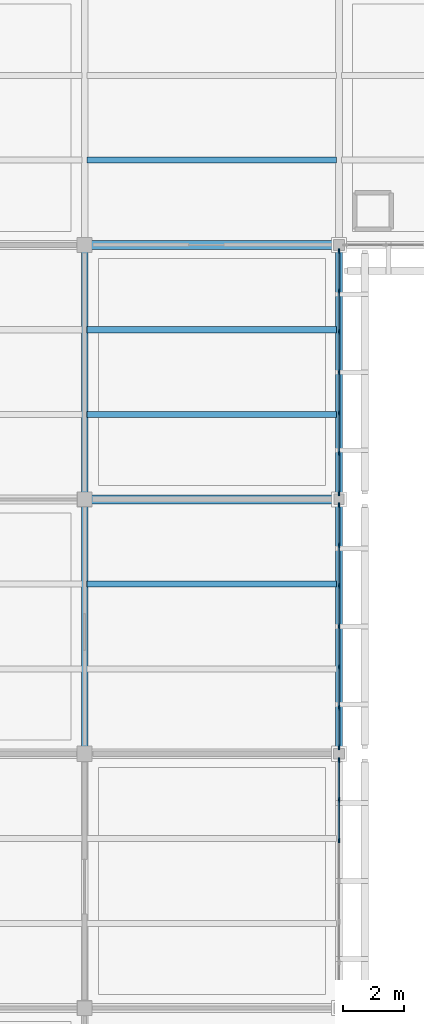
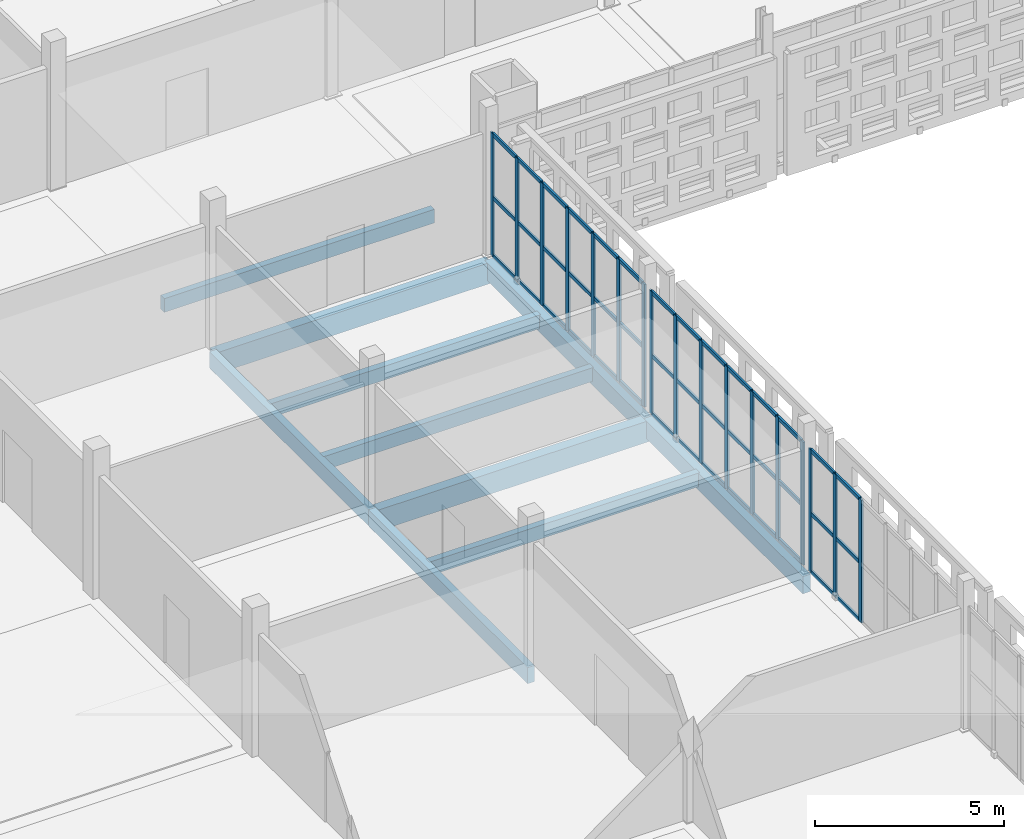
# One storey, part 42 of 203: 59 members, 10 beams, 3 elements without a shape of their own.
"""IFC4 building model written with IfcOpenShell, lengths in metres."""

from ifc_helpers import new_model, si_unit, direction, frame, origin, origin_2d, place, context, subcontext, project, spatial, rectangle, extrude, material, layer, layer_set, material_profile, profile_set, type_object, element, aggregate, save


model = new_model("IFC4")

# Units and contexts
model_context = context("Model", 3, precision=1e-05, world=origin(), true_north=direction((0.0, 1.0)))
body_context = subcontext(model_context, "Body", "Model", "MODEL_VIEW")
ifc_project = project(units=[si_unit("LENGTHUNIT", "METRE"), si_unit("AREAUNIT", "SQUARE_METRE"), si_unit("VOLUMEUNIT", "CUBIC_METRE"), si_unit("PLANEANGLEUNIT", "RADIAN"), si_unit("MASSUNIT", "GRAM", prefix="KILO")], contexts=[model_context])

# Site, building, storey
site_placement = place(None, origin())
site = spatial("IfcSite", under=ifc_project, at=site_placement, CompositionType="ELEMENT")
building_placement = place(site_placement, origin())
building = spatial("IfcBuilding", under=site, at=building_placement, Name="Varnapada Polytechnic", CompositionType="ELEMENT")
storey_placement = place(building_placement, frame((0.0, 0.0, 4.800048828125)))
storey = spatial("IfcBuildingStorey", under=building, at=storey_placement, Name="L01", CompositionType="ELEMENT", Elevation=4.800048828125)

# Beams
ifc_material_1 = material(Name="Glulam GL32h", Category="wood")
ifc_material_profile_1 = material_profile(ifc_material_1, rectangle(XDim=0.199951171875, YDim=0.43994140625, at=origin_2d()), Name="GL 200x440")
ifc_profile_set_1 = profile_set([ifc_material_profile_1], Name="Glulam GL32h")
beam_type_1 = type_object("IfcBeamType", Name="Heavy laboratory glulam joist GJ-03 (GL 200x440)", PredefinedType="JOIST", material=ifc_profile_set_1)
for number, where, z_axis, x_axis, name in (
    (1, (33.679931640625, 72.800048828125, -0.469970703125), (1.0, 0.0, 0.0), (0.0, 1.0, 0.0), "L01 floor joist 5/9.2"),
    (2, (33.679931640625, 78.39990234375, -0.469970703125), (1.0, 0.0, 0.0), (0.0, 1.0, 0.0), "L01 floor joist 5/10.1"),
    (3, (33.679931640625, 81.199951171875, -0.469970703125), (1.0, 0.0, 0.0), (0.0, 1.0, 0.0), "L01 floor joist 5/10.2"),
    (4, (33.679931640625, 86.800048828125, -0.469970703125), (1.0, 0.0, 0.0), (0.0, 1.0, 0.0), "L01 floor joist 5/11.1"),
):
    element("IfcBeam", number, at=place(storey_placement, frame(where, z_axis=z_axis, x_axis=x_axis)), inside=storey, type_object=beam_type_1, Name=name, PredefinedType="JOIST", context=body_context, shape_type="SweptSolid", body=[
        extrude(rectangle(XDim=0.199951171875, YDim=0.43994140625, at=origin_2d()), origin(), (0.0, 0.0, 1.0), 8.239990234375),
    ])
ifc_material_profile_2 = material_profile(ifc_material_1, rectangle(XDim=0.219970703125, YDim=0.52001953125, at=origin_2d()), Name="GL 220x520")
ifc_profile_set_2 = profile_set([ifc_material_profile_2], Name="Glulam GL32h")
beam_type_2 = type_object("IfcBeamType", Name="Laboratory transverse glulam beam GB-12 (GL 220x520)", PredefinedType="BEAM", material=ifc_profile_set_2)
beam_1_placement = place(storey_placement, frame((33.60009765625, 67.199951171875, -0.510009765625), z_axis=(0.0, 1.0, 0.0), x_axis=(-1.0, 0.0, 0.0)))
element("IfcBeam", 5, at=beam_1_placement, inside=storey, type_object=beam_type_2, Name="L01 beam Y 9-10 at X5", PredefinedType="BEAM", context=body_context, shape_type="SweptSolid", body=[
    extrude(rectangle(XDim=0.219970703125, YDim=0.52001953125, at=origin_2d()), origin(), (0.0, 0.0, 1.0), 8.400146484375),
])
beam_2_placement = place(storey_placement, frame((33.60009765625, 75.60009765625, -0.510009765625), z_axis=(0.0, 1.0, 0.0), x_axis=(-1.0, 0.0, 0.0)))
element("IfcBeam", 6, at=beam_2_placement, inside=storey, type_object=beam_type_2, Name="L01 beam Y 10-11 at X5", PredefinedType="BEAM", context=body_context, shape_type="SweptSolid", body=[
    extrude(rectangle(XDim=0.219970703125, YDim=0.52001953125, at=origin_2d()), origin(), (0.0, 0.0, 1.0), 8.39990234375),
])

# Curtain wall, members
ifc_material_2 = material(Name="Double low-E laminated glass", Category="glass")
ifc_layer = layer(ifc_material_2, 0.159912109375)
ifc_layer_set = layer_set([ifc_layer], Name="Double low-E laminated glass")
curtain_wall_type = type_object("IfcCurtainWallType", Name="Curtain Wall CW-01", PredefinedType="NOTDEFINED", material=ifc_layer_set)
curtain_wall_1_placement = place(storey_placement, origin())
curtain_wall_1 = element("IfcCurtainWall", 7, at=curtain_wall_1_placement, inside=storey, type_object=curtain_wall_type, Name="L01 unitised curtain wall CW-01 (38)", PredefinedType="NOTDEFINED")
ifc_material_3 = material(Name="Anodised aluminium", Category="aluminium")
ifc_material_profile_3 = material_profile(ifc_material_3, rectangle(XDim=0.06005859375, YDim=0.159912109375, at=origin_2d()), Name="ALU M60x160")
ifc_profile_set_3 = profile_set([ifc_material_profile_3], Name="Anodised aluminium")
member_type_1 = type_object("IfcMemberType", Name="Mullion M-01", PredefinedType="MULLION", material=ifc_profile_set_3)
member_1_placement = place(storey_placement, frame((42.0, 66.989990234375, 0.0), z_axis=(0.0, 0.0, 1.0), x_axis=(1.0, 0.0, 0.0)))
member_1 = element("IfcMember", 8, at=member_1_placement, type_object=member_type_1, Name="CW-01 mullion 1", PredefinedType="MULLION", context=body_context, shape_type="SweptSolid", body=[
    extrude(rectangle(XDim=0.06005859375, YDim=0.159912109375, at=origin_2d()), origin(), (0.0, 0.0, 1.0), 3.9599609375),
])
member_2_placement = place(storey_placement, frame((42.0, 65.67822265625, 0.0), z_axis=(0.0, 0.0, 1.0), x_axis=(1.0, 0.0, 0.0)))
member_2 = element("IfcMember", 9, at=member_2_placement, type_object=member_type_1, Name="CW-01 mullion 2", PredefinedType="MULLION", context=body_context, shape_type="SweptSolid", body=[
    extrude(rectangle(XDim=0.06005859375, YDim=0.159912109375, at=origin_2d()), origin(), (0.0, 0.0, 1.0), 3.9599609375),
])
member_3_placement = place(storey_placement, frame((42.0, 64.336669921875, 0.0), z_axis=(0.0, 0.0, 1.0), x_axis=(1.0, 0.0, 0.0)))
member_3 = element("IfcMember", 10, at=member_3_placement, type_object=member_type_1, Name="CW-01 mullion 3", PredefinedType="MULLION", context=body_context, shape_type="SweptSolid", body=[
    extrude(rectangle(XDim=0.06005859375, YDim=0.159912109375, at=origin_2d()), origin(), (0.0, 0.0, 1.0), 3.9599609375),
])

curtain_wall_2_placement = place(storey_placement, origin())
curtain_wall_2 = element("IfcCurtainWall", 11, at=curtain_wall_2_placement, inside=storey, type_object=curtain_wall_type, Name="L01 unitised curtain wall CW-01 (39)", PredefinedType="NOTDEFINED")
member_4_placement = place(storey_placement, frame((42.0, 75.39990234375, 0.0), z_axis=(0.0, 0.0, 1.0), x_axis=(1.0, 0.0, 0.0)))
member_4 = element("IfcMember", 12, at=member_4_placement, type_object=member_type_1, Name="CW-01 mullion 1", PredefinedType="MULLION", context=body_context, shape_type="SweptSolid", body=[
    extrude(rectangle(XDim=0.06005859375, YDim=0.159912109375, at=origin_2d()), origin(), (0.0, 0.0, 1.0), 3.9599609375),
])
member_5_placement = place(storey_placement, frame((42.0, 74.08837890625, 0.0), z_axis=(0.0, 0.0, 1.0), x_axis=(1.0, 0.0, 0.0)))
member_5 = element("IfcMember", 13, at=member_5_placement, type_object=member_type_1, Name="CW-01 mullion 2", PredefinedType="MULLION", context=body_context, shape_type="SweptSolid", body=[
    extrude(rectangle(XDim=0.06005859375, YDim=0.159912109375, at=origin_2d()), origin(), (0.0, 0.0, 1.0), 3.9599609375),
])
member_6_placement = place(storey_placement, frame((42.0, 72.74658203125, 0.0), z_axis=(0.0, 0.0, 1.0), x_axis=(1.0, 0.0, 0.0)))
member_6 = element("IfcMember", 14, at=member_6_placement, type_object=member_type_1, Name="CW-01 mullion 3", PredefinedType="MULLION", context=body_context, shape_type="SweptSolid", body=[
    extrude(rectangle(XDim=0.06005859375, YDim=0.159912109375, at=origin_2d()), origin(), (0.0, 0.0, 1.0), 3.9599609375),
])
member_7_placement = place(storey_placement, frame((42.0, 71.405029296875, 0.0), z_axis=(0.0, 0.0, 1.0), x_axis=(1.0, 0.0, 0.0)))
member_7 = element("IfcMember", 15, at=member_7_placement, type_object=member_type_1, Name="CW-01 mullion 4", PredefinedType="MULLION", context=body_context, shape_type="SweptSolid", body=[
    extrude(rectangle(XDim=0.06005859375, YDim=0.159912109375, at=origin_2d()), origin(), (0.0, 0.0, 1.0), 3.9599609375),
])
member_8_placement = place(storey_placement, frame((42.0, 70.063232421875, 0.0), z_axis=(0.0, 0.0, 1.0), x_axis=(1.0, 0.0, 0.0)))
member_8 = element("IfcMember", 16, at=member_8_placement, type_object=member_type_1, Name="CW-01 mullion 5", PredefinedType="MULLION", context=body_context, shape_type="SweptSolid", body=[
    extrude(rectangle(XDim=0.06005859375, YDim=0.159912109375, at=origin_2d()), origin(), (0.0, 0.0, 1.0), 3.9599609375),
])
member_9_placement = place(storey_placement, frame((42.0, 68.7216796875, 0.0), z_axis=(0.0, 0.0, 1.0), x_axis=(1.0, 0.0, 0.0)))
member_9 = element("IfcMember", 17, at=member_9_placement, type_object=member_type_1, Name="CW-01 mullion 6", PredefinedType="MULLION", context=body_context, shape_type="SweptSolid", body=[
    extrude(rectangle(XDim=0.06005859375, YDim=0.159912109375, at=origin_2d()), origin(), (0.0, 0.0, 1.0), 3.9599609375),
])
member_10_placement = place(storey_placement, frame((42.0, 67.409912109375, 0.0), z_axis=(0.0, 0.0, 1.0), x_axis=(1.0, 0.0, 0.0)))
member_10 = element("IfcMember", 18, at=member_10_placement, type_object=member_type_1, Name="CW-01 mullion 7", PredefinedType="MULLION", context=body_context, shape_type="SweptSolid", body=[
    extrude(rectangle(XDim=0.06005859375, YDim=0.159912109375, at=origin_2d()), origin(), (0.0, 0.0, 1.0), 3.9599609375),
])

curtain_wall_3_placement = place(storey_placement, origin())
curtain_wall_3 = element("IfcCurtainWall", 19, at=curtain_wall_3_placement, inside=storey, type_object=curtain_wall_type, Name="L01 unitised curtain wall CW-01 (40)", PredefinedType="NOTDEFINED")
member_11_placement = place(storey_placement, frame((42.0, 83.7900390625, 0.0), z_axis=(0.0, 0.0, 1.0), x_axis=(1.0, 0.0, 0.0)))
member_11 = element("IfcMember", 20, at=member_11_placement, type_object=member_type_1, Name="CW-01 mullion 1", PredefinedType="MULLION", context=body_context, shape_type="SweptSolid", body=[
    extrude(rectangle(XDim=0.06005859375, YDim=0.159912109375, at=origin_2d()), origin(), (0.0, 0.0, 1.0), 3.9599609375),
])
member_12_placement = place(storey_placement, frame((42.0, 82.478271484375, 0.0), z_axis=(0.0, 0.0, 1.0), x_axis=(1.0, 0.0, 0.0)))
member_12 = element("IfcMember", 21, at=member_12_placement, type_object=member_type_1, Name="CW-01 mullion 2", PredefinedType="MULLION", context=body_context, shape_type="SweptSolid", body=[
    extrude(rectangle(XDim=0.06005859375, YDim=0.159912109375, at=origin_2d()), origin(), (0.0, 0.0, 1.0), 3.9599609375),
])
member_13_placement = place(storey_placement, frame((42.0, 81.13671875, 0.0), z_axis=(0.0, 0.0, 1.0), x_axis=(1.0, 0.0, 0.0)))
member_13 = element("IfcMember", 22, at=member_13_placement, type_object=member_type_1, Name="CW-01 mullion 3", PredefinedType="MULLION", context=body_context, shape_type="SweptSolid", body=[
    extrude(rectangle(XDim=0.06005859375, YDim=0.159912109375, at=origin_2d()), origin(), (0.0, 0.0, 1.0), 3.9599609375),
])
member_14_placement = place(storey_placement, frame((42.0, 79.794921875, 0.0), z_axis=(0.0, 0.0, 1.0), x_axis=(1.0, 0.0, 0.0)))
member_14 = element("IfcMember", 23, at=member_14_placement, type_object=member_type_1, Name="CW-01 mullion 4", PredefinedType="MULLION", context=body_context, shape_type="SweptSolid", body=[
    extrude(rectangle(XDim=0.06005859375, YDim=0.159912109375, at=origin_2d()), origin(), (0.0, 0.0, 1.0), 3.9599609375),
])
member_15_placement = place(storey_placement, frame((42.0, 78.453369140625, 0.0), z_axis=(0.0, 0.0, 1.0), x_axis=(1.0, 0.0, 0.0)))
member_15 = element("IfcMember", 24, at=member_15_placement, type_object=member_type_1, Name="CW-01 mullion 5", PredefinedType="MULLION", context=body_context, shape_type="SweptSolid", body=[
    extrude(rectangle(XDim=0.06005859375, YDim=0.159912109375, at=origin_2d()), origin(), (0.0, 0.0, 1.0), 3.9599609375),
])
member_16_placement = place(storey_placement, frame((42.0, 77.111572265625, 0.0), z_axis=(0.0, 0.0, 1.0), x_axis=(1.0, 0.0, 0.0)))
member_16 = element("IfcMember", 25, at=member_16_placement, type_object=member_type_1, Name="CW-01 mullion 6", PredefinedType="MULLION", context=body_context, shape_type="SweptSolid", body=[
    extrude(rectangle(XDim=0.06005859375, YDim=0.159912109375, at=origin_2d()), origin(), (0.0, 0.0, 1.0), 3.9599609375),
])
member_17_placement = place(storey_placement, frame((42.0, 75.800048828125, 0.0), z_axis=(0.0, 0.0, 1.0), x_axis=(1.0, 0.0, 0.0)))
member_17 = element("IfcMember", 26, at=member_17_placement, type_object=member_type_1, Name="CW-01 mullion 7", PredefinedType="MULLION", context=body_context, shape_type="SweptSolid", body=[
    extrude(rectangle(XDim=0.06005859375, YDim=0.159912109375, at=origin_2d()), origin(), (0.0, 0.0, 1.0), 3.9599609375),
])

# Beams
ifc_material_profile_4 = material_profile(ifc_material_1, rectangle(XDim=0.239990234375, YDim=0.56005859375, at=origin_2d()), Name="GL 240x560")
ifc_profile_set_4 = profile_set([ifc_material_profile_4], Name="Glulam GL32h")
beam_type_3 = type_object("IfcBeamType", Name="Perimeter glulam spandrel beam SP-02 (GL 240x560)", PredefinedType="SPANDREL", material=ifc_profile_set_4)
beam_3_placement = place(storey_placement, frame((42.0, 67.199951171875, -0.530029296875), z_axis=(0.0, 1.0, 0.0), x_axis=(-1.0, 0.0, 0.0)))
element("IfcBeam", 27, at=beam_3_placement, inside=storey, type_object=beam_type_3, Name="L01 beam Y 9-10 at X6", PredefinedType="SPANDREL", context=body_context, shape_type="SweptSolid", body=[
    extrude(rectangle(XDim=0.239990234375, YDim=0.56005859375, at=origin_2d()), origin(), (0.0, 0.0, 1.0), 8.400146484375),
])
beam_4_placement = place(storey_placement, frame((42.0, 75.60009765625, -0.530029296875), z_axis=(0.0, 1.0, 0.0), x_axis=(-1.0, 0.0, 0.0)))
element("IfcBeam", 28, at=beam_4_placement, inside=storey, type_object=beam_type_3, Name="L01 beam Y 10-11 at X6", PredefinedType="SPANDREL", context=body_context, shape_type="SweptSolid", body=[
    extrude(rectangle(XDim=0.239990234375, YDim=0.56005859375, at=origin_2d()), origin(), (0.0, 0.0, 1.0), 8.39990234375),
])

# Member
ifc_material_profile_5 = material_profile(ifc_material_3, rectangle(XDim=0.06005859375, YDim=0.1201171875, at=origin_2d()), Name="ALU T60x120")
ifc_profile_set_5 = profile_set([ifc_material_profile_5], Name="Anodised aluminium")
member_type_2 = type_object("IfcMemberType", Name="Transom T-01", PredefinedType="USERDEFINED", material=ifc_profile_set_5)
member_18_placement = place(storey_placement, frame((42.0, 66.9599609375, 0.030029296875), z_axis=(0.0, -1.0, 0.0), x_axis=(1.0, 0.0, 0.0)))
member_18 = element("IfcMember", 29, at=member_18_placement, type_object=member_type_2, Name="CW-01 transom 1.1", ObjectType="TRANSOM", PredefinedType="USERDEFINED", context=body_context, shape_type="SweptSolid", body=[
    extrude(rectangle(XDim=0.06005859375, YDim=0.1201171875, at=origin_2d()), origin(), (0.0, 0.0, 1.0), 1.251708984375),
])

member_19_placement = place(storey_placement, frame((42.0, 66.9599609375, 1.900634765625), z_axis=(0.0, -1.0, 0.0), x_axis=(1.0, 0.0, 0.0)))
member_19 = element("IfcMember", 30, at=member_19_placement, type_object=member_type_2, Name="CW-01 transom 1.2", ObjectType="TRANSOM", PredefinedType="USERDEFINED", context=body_context, shape_type="SweptSolid", body=[
    extrude(rectangle(XDim=0.06005859375, YDim=0.1201171875, at=origin_2d()), origin(), (0.0, 0.0, 1.0), 1.251708984375),
])

member_20_placement = place(storey_placement, frame((42.0, 66.9599609375, 3.929931640625), z_axis=(0.0, -1.0, 0.0), x_axis=(1.0, 0.0, 0.0)))
member_20 = element("IfcMember", 31, at=member_20_placement, type_object=member_type_2, Name="CW-01 transom 1.3", ObjectType="TRANSOM", PredefinedType="USERDEFINED", context=body_context, shape_type="SweptSolid", body=[
    extrude(rectangle(XDim=0.06005859375, YDim=0.1201171875, at=origin_2d()), origin(), (0.0, 0.0, 1.0), 1.251708984375),
])

member_21_placement = place(storey_placement, frame((42.0, 65.6484375, 0.030029296875), z_axis=(0.0, -1.0, 0.0), x_axis=(1.0, 0.0, 0.0)))
member_21 = element("IfcMember", 32, at=member_21_placement, type_object=member_type_2, Name="CW-01 transom 2.1", ObjectType="TRANSOM", PredefinedType="USERDEFINED", context=body_context, shape_type="SweptSolid", body=[
    extrude(rectangle(XDim=0.06005859375, YDim=0.1201171875, at=origin_2d()), origin(), (0.0, 0.0, 1.0), 1.28173828125),
])

member_22_placement = place(storey_placement, frame((42.0, 65.6484375, 1.900634765625), z_axis=(0.0, -1.0, 0.0), x_axis=(1.0, 0.0, 0.0)))
member_22 = element("IfcMember", 33, at=member_22_placement, type_object=member_type_2, Name="CW-01 transom 2.2", ObjectType="TRANSOM", PredefinedType="USERDEFINED", context=body_context, shape_type="SweptSolid", body=[
    extrude(rectangle(XDim=0.06005859375, YDim=0.1201171875, at=origin_2d()), origin(), (0.0, 0.0, 1.0), 1.28173828125),
])

member_23_placement = place(storey_placement, frame((42.0, 65.6484375, 3.929931640625), z_axis=(0.0, -1.0, 0.0), x_axis=(1.0, 0.0, 0.0)))
member_23 = element("IfcMember", 34, at=member_23_placement, type_object=member_type_2, Name="CW-01 transom 2.3", ObjectType="TRANSOM", PredefinedType="USERDEFINED", context=body_context, shape_type="SweptSolid", body=[
    extrude(rectangle(XDim=0.06005859375, YDim=0.1201171875, at=origin_2d()), origin(), (0.0, 0.0, 1.0), 1.28173828125),
])

aggregate(curtain_wall_1, [member_1, member_2, member_3, member_18, member_19, member_20, member_21, member_22, member_23])

member_24_placement = place(storey_placement, frame((42.0, 75.3701171875, 0.030029296875), z_axis=(0.0, -1.0, 0.0), x_axis=(1.0, 0.0, 0.0)))
member_24 = element("IfcMember", 35, at=member_24_placement, type_object=member_type_2, Name="CW-01 transom 1.1", ObjectType="TRANSOM", PredefinedType="USERDEFINED", context=body_context, shape_type="SweptSolid", body=[
    extrude(rectangle(XDim=0.06005859375, YDim=0.1201171875, at=origin_2d()), origin(), (0.0, 0.0, 1.0), 1.251708984375),
])

member_25_placement = place(storey_placement, frame((42.0, 75.3701171875, 1.900634765625), z_axis=(0.0, -1.0, 0.0), x_axis=(1.0, 0.0, 0.0)))
member_25 = element("IfcMember", 36, at=member_25_placement, type_object=member_type_2, Name="CW-01 transom 1.2", ObjectType="TRANSOM", PredefinedType="USERDEFINED", context=body_context, shape_type="SweptSolid", body=[
    extrude(rectangle(XDim=0.06005859375, YDim=0.1201171875, at=origin_2d()), origin(), (0.0, 0.0, 1.0), 1.251708984375),
])

member_26_placement = place(storey_placement, frame((42.0, 75.3701171875, 3.929931640625), z_axis=(0.0, -1.0, 0.0), x_axis=(1.0, 0.0, 0.0)))
member_26 = element("IfcMember", 37, at=member_26_placement, type_object=member_type_2, Name="CW-01 transom 1.3", ObjectType="TRANSOM", PredefinedType="USERDEFINED", context=body_context, shape_type="SweptSolid", body=[
    extrude(rectangle(XDim=0.06005859375, YDim=0.1201171875, at=origin_2d()), origin(), (0.0, 0.0, 1.0), 1.251708984375),
])

member_27_placement = place(storey_placement, frame((42.0, 74.058349609375, 0.030029296875), z_axis=(0.0, -1.0, 0.0), x_axis=(1.0, 0.0, 0.0)))
member_27 = element("IfcMember", 38, at=member_27_placement, type_object=member_type_2, Name="CW-01 transom 2.1", ObjectType="TRANSOM", PredefinedType="USERDEFINED", context=body_context, shape_type="SweptSolid", body=[
    extrude(rectangle(XDim=0.06005859375, YDim=0.1201171875, at=origin_2d()), origin(), (0.0, 0.0, 1.0), 1.28173828125),
])

member_28_placement = place(storey_placement, frame((42.0, 74.058349609375, 1.900634765625), z_axis=(0.0, -1.0, 0.0), x_axis=(1.0, 0.0, 0.0)))
member_28 = element("IfcMember", 39, at=member_28_placement, type_object=member_type_2, Name="CW-01 transom 2.2", ObjectType="TRANSOM", PredefinedType="USERDEFINED", context=body_context, shape_type="SweptSolid", body=[
    extrude(rectangle(XDim=0.06005859375, YDim=0.1201171875, at=origin_2d()), origin(), (0.0, 0.0, 1.0), 1.28173828125),
])

member_29_placement = place(storey_placement, frame((42.0, 74.058349609375, 3.929931640625), z_axis=(0.0, -1.0, 0.0), x_axis=(1.0, 0.0, 0.0)))
member_29 = element("IfcMember", 40, at=member_29_placement, type_object=member_type_2, Name="CW-01 transom 2.3", ObjectType="TRANSOM", PredefinedType="USERDEFINED", context=body_context, shape_type="SweptSolid", body=[
    extrude(rectangle(XDim=0.06005859375, YDim=0.1201171875, at=origin_2d()), origin(), (0.0, 0.0, 1.0), 1.28173828125),
])

member_30_placement = place(storey_placement, frame((42.0, 72.716552734375, 0.030029296875), z_axis=(0.0, -1.0, 0.0), x_axis=(1.0, 0.0, 0.0)))
member_30 = element("IfcMember", 41, at=member_30_placement, type_object=member_type_2, Name="CW-01 transom 3.1", ObjectType="TRANSOM", PredefinedType="USERDEFINED", context=body_context, shape_type="SweptSolid", body=[
    extrude(rectangle(XDim=0.06005859375, YDim=0.1201171875, at=origin_2d()), origin(), (0.0, 0.0, 1.0), 1.281494140625),
])

member_31_placement = place(storey_placement, frame((42.0, 72.716552734375, 1.900634765625), z_axis=(0.0, -1.0, 0.0), x_axis=(1.0, 0.0, 0.0)))
member_31 = element("IfcMember", 42, at=member_31_placement, type_object=member_type_2, Name="CW-01 transom 3.2", ObjectType="TRANSOM", PredefinedType="USERDEFINED", context=body_context, shape_type="SweptSolid", body=[
    extrude(rectangle(XDim=0.06005859375, YDim=0.1201171875, at=origin_2d()), origin(), (0.0, 0.0, 1.0), 1.281494140625),
])

member_32_placement = place(storey_placement, frame((42.0, 72.716552734375, 3.929931640625), z_axis=(0.0, -1.0, 0.0), x_axis=(1.0, 0.0, 0.0)))
member_32 = element("IfcMember", 43, at=member_32_placement, type_object=member_type_2, Name="CW-01 transom 3.3", ObjectType="TRANSOM", PredefinedType="USERDEFINED", context=body_context, shape_type="SweptSolid", body=[
    extrude(rectangle(XDim=0.06005859375, YDim=0.1201171875, at=origin_2d()), origin(), (0.0, 0.0, 1.0), 1.281494140625),
])

member_33_placement = place(storey_placement, frame((42.0, 71.375, 0.030029296875), z_axis=(0.0, -1.0, 0.0), x_axis=(1.0, 0.0, 0.0)))
member_33 = element("IfcMember", 44, at=member_33_placement, type_object=member_type_2, Name="CW-01 transom 4.1", ObjectType="TRANSOM", PredefinedType="USERDEFINED", context=body_context, shape_type="SweptSolid", body=[
    extrude(rectangle(XDim=0.06005859375, YDim=0.1201171875, at=origin_2d()), origin(), (0.0, 0.0, 1.0), 1.28173828125),
])

member_34_placement = place(storey_placement, frame((42.0, 71.375, 1.900634765625), z_axis=(0.0, -1.0, 0.0), x_axis=(1.0, 0.0, 0.0)))
member_34 = element("IfcMember", 45, at=member_34_placement, type_object=member_type_2, Name="CW-01 transom 4.2", ObjectType="TRANSOM", PredefinedType="USERDEFINED", context=body_context, shape_type="SweptSolid", body=[
    extrude(rectangle(XDim=0.06005859375, YDim=0.1201171875, at=origin_2d()), origin(), (0.0, 0.0, 1.0), 1.28173828125),
])

member_35_placement = place(storey_placement, frame((42.0, 71.375, 3.929931640625), z_axis=(0.0, -1.0, 0.0), x_axis=(1.0, 0.0, 0.0)))
member_35 = element("IfcMember", 46, at=member_35_placement, type_object=member_type_2, Name="CW-01 transom 4.3", ObjectType="TRANSOM", PredefinedType="USERDEFINED", context=body_context, shape_type="SweptSolid", body=[
    extrude(rectangle(XDim=0.06005859375, YDim=0.1201171875, at=origin_2d()), origin(), (0.0, 0.0, 1.0), 1.28173828125),
])

member_36_placement = place(storey_placement, frame((42.0, 70.033447265625, 0.030029296875), z_axis=(0.0, -1.0, 0.0), x_axis=(1.0, 0.0, 0.0)))
member_36 = element("IfcMember", 47, at=member_36_placement, type_object=member_type_2, Name="CW-01 transom 5.1", ObjectType="TRANSOM", PredefinedType="USERDEFINED", context=body_context, shape_type="SweptSolid", body=[
    extrude(rectangle(XDim=0.06005859375, YDim=0.1201171875, at=origin_2d()), origin(), (0.0, 0.0, 1.0), 1.28173828125),
])

member_37_placement = place(storey_placement, frame((42.0, 70.033447265625, 1.900634765625), z_axis=(0.0, -1.0, 0.0), x_axis=(1.0, 0.0, 0.0)))
member_37 = element("IfcMember", 48, at=member_37_placement, type_object=member_type_2, Name="CW-01 transom 5.2", ObjectType="TRANSOM", PredefinedType="USERDEFINED", context=body_context, shape_type="SweptSolid", body=[
    extrude(rectangle(XDim=0.06005859375, YDim=0.1201171875, at=origin_2d()), origin(), (0.0, 0.0, 1.0), 1.28173828125),
])

member_38_placement = place(storey_placement, frame((42.0, 70.033447265625, 3.929931640625), z_axis=(0.0, -1.0, 0.0), x_axis=(1.0, 0.0, 0.0)))
member_38 = element("IfcMember", 49, at=member_38_placement, type_object=member_type_2, Name="CW-01 transom 5.3", ObjectType="TRANSOM", PredefinedType="USERDEFINED", context=body_context, shape_type="SweptSolid", body=[
    extrude(rectangle(XDim=0.06005859375, YDim=0.1201171875, at=origin_2d()), origin(), (0.0, 0.0, 1.0), 1.28173828125),
])

member_39_placement = place(storey_placement, frame((42.0, 68.691650390625, 0.030029296875), z_axis=(0.0, -1.0, 0.0), x_axis=(1.0, 0.0, 0.0)))
member_39 = element("IfcMember", 50, at=member_39_placement, type_object=member_type_2, Name="CW-01 transom 6.1", ObjectType="TRANSOM", PredefinedType="USERDEFINED", context=body_context, shape_type="SweptSolid", body=[
    extrude(rectangle(XDim=0.06005859375, YDim=0.1201171875, at=origin_2d()), origin(), (0.0, 0.0, 1.0), 1.251708984375),
])

member_40_placement = place(storey_placement, frame((42.0, 68.691650390625, 1.900634765625), z_axis=(0.0, -1.0, 0.0), x_axis=(1.0, 0.0, 0.0)))
member_40 = element("IfcMember", 51, at=member_40_placement, type_object=member_type_2, Name="CW-01 transom 6.2", ObjectType="TRANSOM", PredefinedType="USERDEFINED", context=body_context, shape_type="SweptSolid", body=[
    extrude(rectangle(XDim=0.06005859375, YDim=0.1201171875, at=origin_2d()), origin(), (0.0, 0.0, 1.0), 1.251708984375),
])

member_41_placement = place(storey_placement, frame((42.0, 68.691650390625, 3.929931640625), z_axis=(0.0, -1.0, 0.0), x_axis=(1.0, 0.0, 0.0)))
member_41 = element("IfcMember", 52, at=member_41_placement, type_object=member_type_2, Name="CW-01 transom 6.3", ObjectType="TRANSOM", PredefinedType="USERDEFINED", context=body_context, shape_type="SweptSolid", body=[
    extrude(rectangle(XDim=0.06005859375, YDim=0.1201171875, at=origin_2d()), origin(), (0.0, 0.0, 1.0), 1.251708984375),
])

aggregate(curtain_wall_2, [member_4, member_5, member_6, member_7, member_8, member_9, member_10, member_24, member_25, member_26, member_27, member_28, member_29, member_30, member_31, member_32, member_33, member_34, member_35, member_36, member_37, member_38, member_39, member_40, member_41])

member_42_placement = place(storey_placement, frame((42.0, 83.760009765625, 0.030029296875), z_axis=(0.0, -1.0, 0.0), x_axis=(1.0, 0.0, 0.0)))
member_42 = element("IfcMember", 53, at=member_42_placement, type_object=member_type_2, Name="CW-01 transom 1.1", ObjectType="TRANSOM", PredefinedType="USERDEFINED", context=body_context, shape_type="SweptSolid", body=[
    extrude(rectangle(XDim=0.06005859375, YDim=0.1201171875, at=origin_2d()), origin(), (0.0, 0.0, 1.0), 1.251708984375),
])

member_43_placement = place(storey_placement, frame((42.0, 83.760009765625, 1.900634765625), z_axis=(0.0, -1.0, 0.0), x_axis=(1.0, 0.0, 0.0)))
member_43 = element("IfcMember", 54, at=member_43_placement, type_object=member_type_2, Name="CW-01 transom 1.2", ObjectType="TRANSOM", PredefinedType="USERDEFINED", context=body_context, shape_type="SweptSolid", body=[
    extrude(rectangle(XDim=0.06005859375, YDim=0.1201171875, at=origin_2d()), origin(), (0.0, 0.0, 1.0), 1.251708984375),
])

member_44_placement = place(storey_placement, frame((42.0, 83.760009765625, 3.929931640625), z_axis=(0.0, -1.0, 0.0), x_axis=(1.0, 0.0, 0.0)))
member_44 = element("IfcMember", 55, at=member_44_placement, type_object=member_type_2, Name="CW-01 transom 1.3", ObjectType="TRANSOM", PredefinedType="USERDEFINED", context=body_context, shape_type="SweptSolid", body=[
    extrude(rectangle(XDim=0.06005859375, YDim=0.1201171875, at=origin_2d()), origin(), (0.0, 0.0, 1.0), 1.251708984375),
])

member_45_placement = place(storey_placement, frame((42.0, 82.4482421875, 0.030029296875), z_axis=(0.0, -1.0, 0.0), x_axis=(1.0, 0.0, 0.0)))
member_45 = element("IfcMember", 56, at=member_45_placement, type_object=member_type_2, Name="CW-01 transom 2.1", ObjectType="TRANSOM", PredefinedType="USERDEFINED", context=body_context, shape_type="SweptSolid", body=[
    extrude(rectangle(XDim=0.06005859375, YDim=0.1201171875, at=origin_2d()), origin(), (0.0, 0.0, 1.0), 1.281494140625),
])

member_46_placement = place(storey_placement, frame((42.0, 82.4482421875, 1.900634765625), z_axis=(0.0, -1.0, 0.0), x_axis=(1.0, 0.0, 0.0)))
member_46 = element("IfcMember", 57, at=member_46_placement, type_object=member_type_2, Name="CW-01 transom 2.2", ObjectType="TRANSOM", PredefinedType="USERDEFINED", context=body_context, shape_type="SweptSolid", body=[
    extrude(rectangle(XDim=0.06005859375, YDim=0.1201171875, at=origin_2d()), origin(), (0.0, 0.0, 1.0), 1.281494140625),
])

member_47_placement = place(storey_placement, frame((42.0, 82.4482421875, 3.929931640625), z_axis=(0.0, -1.0, 0.0), x_axis=(1.0, 0.0, 0.0)))
member_47 = element("IfcMember", 58, at=member_47_placement, type_object=member_type_2, Name="CW-01 transom 2.3", ObjectType="TRANSOM", PredefinedType="USERDEFINED", context=body_context, shape_type="SweptSolid", body=[
    extrude(rectangle(XDim=0.06005859375, YDim=0.1201171875, at=origin_2d()), origin(), (0.0, 0.0, 1.0), 1.281494140625),
])

member_48_placement = place(storey_placement, frame((42.0, 81.106689453125, 0.030029296875), z_axis=(0.0, -1.0, 0.0), x_axis=(1.0, 0.0, 0.0)))
member_48 = element("IfcMember", 59, at=member_48_placement, type_object=member_type_2, Name="CW-01 transom 3.1", ObjectType="TRANSOM", PredefinedType="USERDEFINED", context=body_context, shape_type="SweptSolid", body=[
    extrude(rectangle(XDim=0.06005859375, YDim=0.1201171875, at=origin_2d()), origin(), (0.0, 0.0, 1.0), 1.28173828125),
])

member_49_placement = place(storey_placement, frame((42.0, 81.106689453125, 1.900634765625), z_axis=(0.0, -1.0, 0.0), x_axis=(1.0, 0.0, 0.0)))
member_49 = element("IfcMember", 60, at=member_49_placement, type_object=member_type_2, Name="CW-01 transom 3.2", ObjectType="TRANSOM", PredefinedType="USERDEFINED", context=body_context, shape_type="SweptSolid", body=[
    extrude(rectangle(XDim=0.06005859375, YDim=0.1201171875, at=origin_2d()), origin(), (0.0, 0.0, 1.0), 1.28173828125),
])

member_50_placement = place(storey_placement, frame((42.0, 81.106689453125, 3.929931640625), z_axis=(0.0, -1.0, 0.0), x_axis=(1.0, 0.0, 0.0)))
member_50 = element("IfcMember", 61, at=member_50_placement, type_object=member_type_2, Name="CW-01 transom 3.3", ObjectType="TRANSOM", PredefinedType="USERDEFINED", context=body_context, shape_type="SweptSolid", body=[
    extrude(rectangle(XDim=0.06005859375, YDim=0.1201171875, at=origin_2d()), origin(), (0.0, 0.0, 1.0), 1.28173828125),
])

member_51_placement = place(storey_placement, frame((42.0, 79.764892578125, 0.030029296875), z_axis=(0.0, -1.0, 0.0), x_axis=(1.0, 0.0, 0.0)))
member_51 = element("IfcMember", 62, at=member_51_placement, type_object=member_type_2, Name="CW-01 transom 4.1", ObjectType="TRANSOM", PredefinedType="USERDEFINED", context=body_context, shape_type="SweptSolid", body=[
    extrude(rectangle(XDim=0.06005859375, YDim=0.1201171875, at=origin_2d()), origin(), (0.0, 0.0, 1.0), 1.281494140625),
])

member_52_placement = place(storey_placement, frame((42.0, 79.764892578125, 1.900634765625), z_axis=(0.0, -1.0, 0.0), x_axis=(1.0, 0.0, 0.0)))
member_52 = element("IfcMember", 63, at=member_52_placement, type_object=member_type_2, Name="CW-01 transom 4.2", ObjectType="TRANSOM", PredefinedType="USERDEFINED", context=body_context, shape_type="SweptSolid", body=[
    extrude(rectangle(XDim=0.06005859375, YDim=0.1201171875, at=origin_2d()), origin(), (0.0, 0.0, 1.0), 1.281494140625),
])

member_53_placement = place(storey_placement, frame((42.0, 79.764892578125, 3.929931640625), z_axis=(0.0, -1.0, 0.0), x_axis=(1.0, 0.0, 0.0)))
member_53 = element("IfcMember", 64, at=member_53_placement, type_object=member_type_2, Name="CW-01 transom 4.3", ObjectType="TRANSOM", PredefinedType="USERDEFINED", context=body_context, shape_type="SweptSolid", body=[
    extrude(rectangle(XDim=0.06005859375, YDim=0.1201171875, at=origin_2d()), origin(), (0.0, 0.0, 1.0), 1.281494140625),
])

member_54_placement = place(storey_placement, frame((42.0, 78.42333984375, 0.030029296875), z_axis=(0.0, -1.0, 0.0), x_axis=(1.0, 0.0, 0.0)))
member_54 = element("IfcMember", 65, at=member_54_placement, type_object=member_type_2, Name="CW-01 transom 5.1", ObjectType="TRANSOM", PredefinedType="USERDEFINED", context=body_context, shape_type="SweptSolid", body=[
    extrude(rectangle(XDim=0.06005859375, YDim=0.1201171875, at=origin_2d()), origin(), (0.0, 0.0, 1.0), 1.28173828125),
])

member_55_placement = place(storey_placement, frame((42.0, 78.42333984375, 1.900634765625), z_axis=(0.0, -1.0, 0.0), x_axis=(1.0, 0.0, 0.0)))
member_55 = element("IfcMember", 66, at=member_55_placement, type_object=member_type_2, Name="CW-01 transom 5.2", ObjectType="TRANSOM", PredefinedType="USERDEFINED", context=body_context, shape_type="SweptSolid", body=[
    extrude(rectangle(XDim=0.06005859375, YDim=0.1201171875, at=origin_2d()), origin(), (0.0, 0.0, 1.0), 1.28173828125),
])

member_56_placement = place(storey_placement, frame((42.0, 78.42333984375, 3.929931640625), z_axis=(0.0, -1.0, 0.0), x_axis=(1.0, 0.0, 0.0)))
member_56 = element("IfcMember", 67, at=member_56_placement, type_object=member_type_2, Name="CW-01 transom 5.3", ObjectType="TRANSOM", PredefinedType="USERDEFINED", context=body_context, shape_type="SweptSolid", body=[
    extrude(rectangle(XDim=0.06005859375, YDim=0.1201171875, at=origin_2d()), origin(), (0.0, 0.0, 1.0), 1.28173828125),
])

member_57_placement = place(storey_placement, frame((42.0, 77.081787109375, 0.030029296875), z_axis=(0.0, -1.0, 0.0), x_axis=(1.0, 0.0, 0.0)))
member_57 = element("IfcMember", 68, at=member_57_placement, type_object=member_type_2, Name="CW-01 transom 6.1", ObjectType="TRANSOM", PredefinedType="USERDEFINED", context=body_context, shape_type="SweptSolid", body=[
    extrude(rectangle(XDim=0.06005859375, YDim=0.1201171875, at=origin_2d()), origin(), (0.0, 0.0, 1.0), 1.251708984375),
])

member_58_placement = place(storey_placement, frame((42.0, 77.081787109375, 1.900634765625), z_axis=(0.0, -1.0, 0.0), x_axis=(1.0, 0.0, 0.0)))
member_58 = element("IfcMember", 69, at=member_58_placement, type_object=member_type_2, Name="CW-01 transom 6.2", ObjectType="TRANSOM", PredefinedType="USERDEFINED", context=body_context, shape_type="SweptSolid", body=[
    extrude(rectangle(XDim=0.06005859375, YDim=0.1201171875, at=origin_2d()), origin(), (0.0, 0.0, 1.0), 1.251708984375),
])

member_59_placement = place(storey_placement, frame((42.0, 77.081787109375, 3.929931640625), z_axis=(0.0, -1.0, 0.0), x_axis=(1.0, 0.0, 0.0)))
member_59 = element("IfcMember", 70, at=member_59_placement, type_object=member_type_2, Name="CW-01 transom 6.3", ObjectType="TRANSOM", PredefinedType="USERDEFINED", context=body_context, shape_type="SweptSolid", body=[
    extrude(rectangle(XDim=0.06005859375, YDim=0.1201171875, at=origin_2d()), origin(), (0.0, 0.0, 1.0), 1.251708984375),
])

aggregate(curtain_wall_3, [member_11, member_12, member_13, member_14, member_15, member_16, member_17, member_42, member_43, member_44, member_45, member_46, member_47, member_48, member_49, member_50, member_51, member_52, member_53, member_54, member_55, member_56, member_57, member_58, member_59])

# Beams
ifc_material_profile_6 = material_profile(ifc_material_1, rectangle(XDim=0.300048828125, YDim=0.679931640625, at=origin_2d()), Name="GL 300x680")
ifc_profile_set_6 = profile_set([ifc_material_profile_6], Name="Glulam GL32h")
beam_type_4 = type_object("IfcBeamType", Name="Wet laboratory glulam girder GG-04 (GL 300x680)", PredefinedType="BEAM", material=ifc_profile_set_6)
for number, where, z_axis, x_axis, name in (
    (71, (33.60009765625, 75.60009765625, -0.590087890625), (1.0, 0.0, 0.0), (0.0, 1.0, 0.0), "L01 beam X 5-6 at Y10"),
    (72, (33.60009765625, 84.0, -0.590087890625), (1.0, 0.0, 0.0), (0.0, 1.0, 0.0), "L01 beam X 5-6 at Y11"),
):
    element("IfcBeam", number, at=place(storey_placement, frame(where, z_axis=z_axis, x_axis=x_axis)), inside=storey, type_object=beam_type_4, Name=name, PredefinedType="BEAM", context=body_context, shape_type="SweptSolid", body=[
        extrude(rectangle(XDim=0.300048828125, YDim=0.679931640625, at=origin_2d()), origin(), (0.0, 0.0, 1.0), 8.39990234375),
    ])

save(model, "model.ifc")
